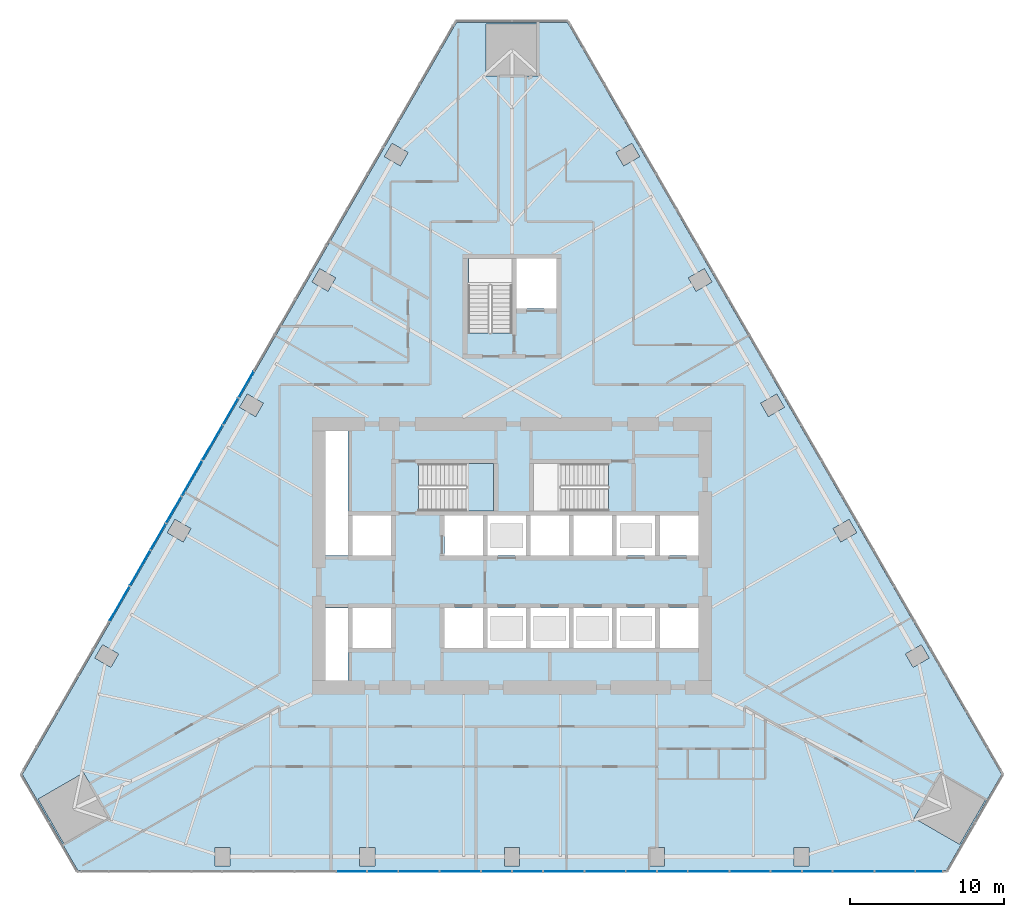
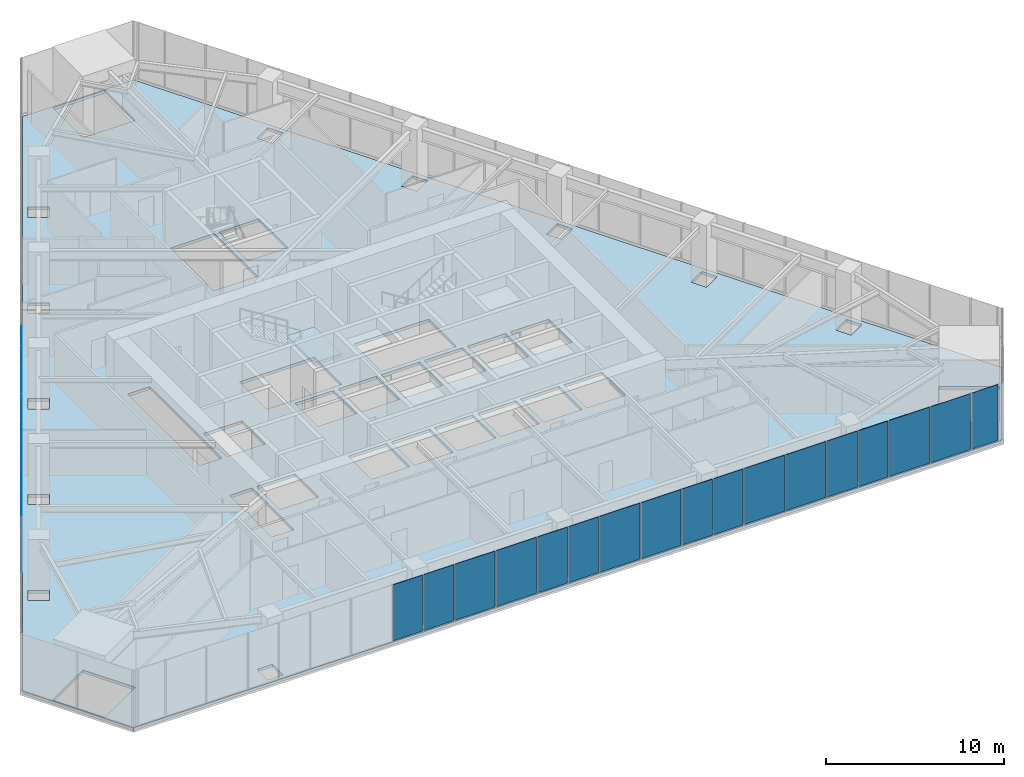
# One storey, part 12 of 21: 25 plates, 2 slabs, 3 elements without a shape of their own.
"""IFC4 building model written with IfcOpenShell, lengths in metres."""

from ifc_helpers import new_model, si_unit, direction, frame, origin, place, context, subcontext, project, spatial, polyline, outline, extrude, material, layer, layer_set, type_object, element, aggregate, save


model = new_model("IFC4")

# Units and contexts
model_context = context("Model", 3, precision=1e-05, world=origin(), true_north=direction((0.0, 1.0)))
body_context = subcontext(model_context, "Body", "Model", "MODEL_VIEW")
ifc_project = project(units=[si_unit("LENGTHUNIT", "METRE"), si_unit("AREAUNIT", "SQUARE_METRE"), si_unit("VOLUMEUNIT", "CUBIC_METRE"), si_unit("PLANEANGLEUNIT", "RADIAN"), si_unit("MASSUNIT", "GRAM", prefix="KILO")], contexts=[model_context])

# Site, building, storey
site_placement = place(None, origin())
site = spatial("IfcSite", under=ifc_project, at=site_placement, CompositionType="ELEMENT")
building_placement = place(site_placement, origin())
building = spatial("IfcBuilding", under=site, at=building_placement, Name="Firuza Gate Tower and Library", CompositionType="ELEMENT")
storey_placement = place(building_placement, frame((0.0, 0.0, 98.800048828125)))
storey = spatial("IfcBuildingStorey", under=building, at=storey_placement, Name="L22", CompositionType="ELEMENT", Elevation=98.800048828125)

# Slab
ifc_material_1 = material(Name="Concrete C40/50", Category="concrete")
ifc_layer_1 = layer(ifc_material_1, 0.199951171875)
ifc_layer_set_1 = layer_set([ifc_layer_1], Name="Composite floor slab 200 C40/50")
slab_type_1 = type_object("IfcSlabType", Name="Composite floor slab 200 C40/50", PredefinedType="FLOOR", material=ifc_layer_set_1)
slab_1_placement = place(storey_placement, frame((0.0, 0.0, -0.199951171875)))
element("IfcSlab", 1, at=slab_1_placement, inside=storey, type_object=slab_type_1, Name="Floor slab L22", PredefinedType="FLOOR", context=body_context, shape_type="SweptSolid", body=[
    extrude(outline(polyline([(43.18994140625, 60.791259765625), (46.789794921875, 54.555908203125), (103.210205078125, 54.555908203125), (106.81005859375, 60.791259765625), (78.60009765625, 109.652587890625), (71.39990234375, 109.652587890625), (43.18994140625, 60.791259765625)]), holes=[polyline([(55.693359375, 54.85595703125), (55.693359375, 56.055908203125), (56.693359375, 56.055908203125), (56.693359375, 54.85595703125), (55.693359375, 54.85595703125)]), polyline([(65.0966796875, 54.85595703125), (65.0966796875, 56.055908203125), (66.0966796875, 56.055908203125), (66.0966796875, 54.85595703125), (65.0966796875, 54.85595703125)]), polyline([(44.2265625, 59.19580078125), (47.1708984375, 60.89599609375), (48.87109375, 57.951416015625), (45.926513671875, 56.25146484375), (44.2265625, 59.19580078125)]), polyline([(48.4013671875, 69.218017578125), (49.440673828125, 68.617919921875), (48.940673828125, 67.751953125), (47.9013671875, 68.351806640625), (48.4013671875, 69.218017578125)]), polyline([(64.35009765625, 66.89990234375), (62.89990234375, 66.89990234375), (62.89990234375, 71.60009765625), (64.35009765625, 71.60009765625), (64.35009765625, 66.89990234375)]), polyline([(75.89990234375, 69.0), (73.39990234375, 69.0), (73.39990234375, 71.60009765625), (75.89990234375, 71.60009765625), (75.89990234375, 69.0)]), polyline([(73.10009765625, 69.0), (70.60009765625, 69.0), (70.60009765625, 71.60009765625), (73.10009765625, 71.60009765625), (73.10009765625, 69.0)]), polyline([(64.64990234375, 69.0), (64.64990234375, 71.60009765625), (67.14990234375, 71.60009765625), (67.14990234375, 69.0), (64.64990234375, 69.0)]), polyline([(64.64990234375, 75.0), (64.64990234375, 77.60009765625), (67.14990234375, 77.60009765625), (67.14990234375, 75.0), (64.64990234375, 75.0)]), polyline([(75.89990234375, 75.0), (73.39990234375, 75.0), (73.39990234375, 77.60009765625), (75.89990234375, 77.60009765625), (75.89990234375, 75.0)]), polyline([(73.10009765625, 75.0), (70.60009765625, 75.0), (70.60009765625, 77.60009765625), (73.10009765625, 77.60009765625), (73.10009765625, 75.0)]), polyline([(53.10302734375, 77.361572265625), (54.142333984375, 76.761474609375), (53.642333984375, 75.8955078125), (52.60302734375, 76.495361328125), (53.10302734375, 77.361572265625)]), polyline([(62.89990234375, 75.0), (62.89990234375, 83.10009765625), (64.35009765625, 83.10009765625), (64.35009765625, 75.0), (62.89990234375, 75.0)]), polyline([(68.9404296875, 77.89990234375), (68.9404296875, 80.97998046875), (73.81005859375, 80.97998046875), (73.81005859375, 77.89990234375), (68.9404296875, 77.89990234375)]), polyline([(57.8046875, 85.505126953125), (58.843994140625, 84.905029296875), (58.343994140625, 84.0390625), (57.3046875, 84.638916015625), (57.8046875, 85.505126953125)]), polyline([(72.159912109375, 89.470458984375), (72.159912109375, 94.300048828125), (75.0, 94.300048828125), (75.0, 89.470458984375), (72.159912109375, 89.470458984375)]), polyline([(62.50634765625, 93.648681640625), (63.545654296875, 93.048583984375), (63.045654296875, 92.1826171875), (62.00634765625, 92.782470703125), (62.50634765625, 93.648681640625)]), polyline([(68.247314453125, 101.192138671875), (67.747314453125, 100.326171875), (66.7080078125, 100.926025390625), (67.2080078125, 101.792236328125), (68.247314453125, 101.192138671875)]), polyline([(76.699951171875, 106.152587890625), (73.300048828125, 106.152587890625), (73.300048828125, 109.552734375), (76.699951171875, 109.552734375), (76.699951171875, 106.152587890625)]), polyline([(93.306640625, 54.85595703125), (93.306640625, 56.055908203125), (94.306640625, 56.055908203125), (94.306640625, 54.85595703125), (93.306640625, 54.85595703125)]), polyline([(74.5, 54.85595703125), (74.5, 56.055908203125), (75.5, 56.055908203125), (75.5, 54.85595703125), (74.5, 54.85595703125)]), polyline([(83.9033203125, 54.85595703125), (83.9033203125, 56.055908203125), (84.9033203125, 56.055908203125), (84.9033203125, 54.85595703125), (83.9033203125, 54.85595703125)]), polyline([(104.073486328125, 56.25146484375), (101.12890625, 57.951416015625), (102.8291015625, 60.89599609375), (105.7734375, 59.19580078125), (104.073486328125, 56.25146484375)]), polyline([(102.0986328125, 68.351806640625), (101.059326171875, 67.751953125), (100.559326171875, 68.617919921875), (101.5986328125, 69.218017578125), (102.0986328125, 68.351806640625)]), polyline([(78.699951171875, 69.0), (76.199951171875, 69.0), (76.199951171875, 71.60009765625), (78.699951171875, 71.60009765625), (78.699951171875, 69.0)]), polyline([(81.5, 69.0), (79.0, 69.0), (79.0, 71.60009765625), (81.5, 71.60009765625), (81.5, 69.0)]), polyline([(84.60009765625, 69.0), (84.60009765625, 71.60009765625), (87.10009765625, 71.60009765625), (87.10009765625, 69.0), (84.60009765625, 69.0)]), polyline([(81.800048828125, 69.0), (81.800048828125, 71.60009765625), (84.300048828125, 71.60009765625), (84.300048828125, 69.0), (81.800048828125, 69.0)]), polyline([(84.300048828125, 75.0), (81.800048828125, 75.0), (81.800048828125, 77.60009765625), (84.300048828125, 77.60009765625), (84.300048828125, 75.0)]), polyline([(87.10009765625, 75.0), (84.60009765625, 75.0), (84.60009765625, 77.60009765625), (87.10009765625, 77.60009765625), (87.10009765625, 75.0)]), polyline([(81.5, 75.0), (79.0, 75.0), (79.0, 77.60009765625), (81.5, 77.60009765625), (81.5, 75.0)]), polyline([(76.199951171875, 75.0), (76.199951171875, 77.60009765625), (78.699951171875, 77.60009765625), (78.699951171875, 75.0), (76.199951171875, 75.0)]), polyline([(96.357666015625, 75.8955078125), (95.857666015625, 76.761474609375), (96.89697265625, 77.361572265625), (97.39697265625, 76.495361328125), (96.357666015625, 75.8955078125)]), polyline([(81.259521484375, 77.89990234375), (76.389892578125, 77.89990234375), (76.389892578125, 80.97998046875), (81.259521484375, 80.97998046875), (81.259521484375, 77.89990234375)]), polyline([(92.6953125, 84.638916015625), (91.656005859375, 84.0390625), (91.156005859375, 84.905029296875), (92.1953125, 85.505126953125), (92.6953125, 84.638916015625)]), polyline([(77.89990234375, 91.050048828125), (75.300048828125, 91.050048828125), (75.300048828125, 94.300048828125), (77.89990234375, 94.300048828125), (77.89990234375, 91.050048828125)]), polyline([(86.954345703125, 92.1826171875), (86.454345703125, 93.048583984375), (87.49365234375, 93.648681640625), (87.99365234375, 92.782470703125), (86.954345703125, 92.1826171875)]), polyline([(82.252685546875, 100.326171875), (81.752685546875, 101.192138671875), (82.7919921875, 101.792236328125), (83.2919921875, 100.926025390625), (82.252685546875, 100.326171875)])]), origin(), (0.0, 0.0, 1.0), 0.199951171875),
])

# Curtain wall, plates
ifc_material_2 = material(Name="Aluminium 6063-T6", Category="aluminium")
ifc_layer_2 = layer(ifc_material_2, 0.14990234375)
ifc_layer_set_2 = layer_set([ifc_layer_2], Name="Unitised curtain wall, offices")
curtain_wall_type = type_object("IfcCurtainWallType", Name="Unitised curtain wall, offices", PredefinedType="NOTDEFINED", material=ifc_layer_set_2)
placement = place(storey_placement, origin())
curtain_wall_1 = element("IfcCurtainWall", 2, at=placement, inside=storey, type_object=curtain_wall_type, Name="CW1 L22 S face", PredefinedType="NOTDEFINED")
ifc_material_3 = material(Name="Fritted glass", Category="glass")
ifc_layer_3 = layer(ifc_material_3, 0.030029296875)
ifc_layer_set_3 = layer_set([ifc_layer_3], Name="Fritted glass unit, offices")
plate_type_1 = type_object("IfcPlateType", Name="Fritted glass unit, offices", PredefinedType="CURTAIN_PANEL", material=ifc_layer_set_3)
plate_1_placement = place(storey_placement, frame((63.619873046875, 54.466064453125, 0.14990234375), z_axis=(0.0, -1.0, 0.0), x_axis=(1.0, 0.0, 0.0)))
plate_1 = element("IfcPlate", 3, at=plate_1_placement, type_object=plate_type_1, Name="Glass unit", PredefinedType="CURTAIN_PANEL", context=body_context, shape_type="SweptSolid", body=[
    extrude(outline(polyline([(0.0, 0.0), (1.92236328125, 0.0), (1.92236328125, 3.85009765625), (0.0, 3.85009765625), (0.0, 0.0)])), origin(), (0.0, 0.0, -1.0), 0.030029296875),
])
plate_2_placement = place(storey_placement, frame((65.622314453125, 54.466064453125, 0.14990234375), z_axis=(0.0, -1.0, 0.0), x_axis=(1.0, 0.0, 0.0)))
plate_2 = element("IfcPlate", 4, at=plate_2_placement, type_object=plate_type_1, Name="Glass unit", PredefinedType="CURTAIN_PANEL", context=body_context, shape_type="SweptSolid", body=[
    extrude(outline(polyline([(0.0, 0.0), (1.950927734375, 0.0), (1.950927734375, 3.85009765625), (0.0, 3.85009765625), (0.0, 0.0)])), origin(), (0.0, 0.0, -1.0), 0.030029296875),
])
plate_3_placement = place(storey_placement, frame((73.023193359375, 54.466064453125, 0.14990234375), z_axis=(0.0, -1.0, 0.0), x_axis=(1.0, 0.0, 0.0)))
plate_3 = element("IfcPlate", 5, at=plate_3_placement, type_object=plate_type_1, Name="Glass unit", PredefinedType="CURTAIN_PANEL", context=body_context, shape_type="SweptSolid", body=[
    extrude(outline(polyline([(0.0, 0.0), (1.936767578125, 0.0), (1.936767578125, 3.85009765625), (0.0, 3.85009765625), (0.0, 0.0)])), origin(), (0.0, 0.0, -1.0), 0.030029296875),
])
plate_4_placement = place(storey_placement, frame((75.0400390625, 54.466064453125, 0.14990234375), z_axis=(0.0, -1.0, 0.0), x_axis=(1.0, 0.0, 0.0)))
plate_4 = element("IfcPlate", 6, at=plate_4_placement, type_object=plate_type_1, Name="Glass unit", PredefinedType="CURTAIN_PANEL", context=body_context, shape_type="SweptSolid", body=[
    extrude(outline(polyline([(0.0, 0.0), (1.936767578125, 0.0), (1.936767578125, 3.85009765625), (0.0, 3.85009765625), (0.0, 0.0)])), origin(), (0.0, 0.0, -1.0), 0.030029296875),
])
plate_5_placement = place(storey_placement, frame((82.4267578125, 54.466064453125, 0.14990234375), z_axis=(0.0, -1.0, 0.0), x_axis=(1.0, 0.0, 0.0)))
plate_5 = element("IfcPlate", 7, at=plate_5_placement, type_object=plate_type_1, Name="Glass unit", PredefinedType="CURTAIN_PANEL", context=body_context, shape_type="SweptSolid", body=[
    extrude(outline(polyline([(0.0, 0.0), (1.950927734375, 0.0), (1.950927734375, 3.85009765625), (0.0, 3.85009765625), (0.0, 0.0)])), origin(), (0.0, 0.0, -1.0), 0.030029296875),
])
plate_6_placement = place(storey_placement, frame((84.457763671875, 54.466064453125, 0.14990234375), z_axis=(0.0, -1.0, 0.0), x_axis=(1.0, 0.0, 0.0)))
plate_6 = element("IfcPlate", 8, at=plate_6_placement, type_object=plate_type_1, Name="Glass unit", PredefinedType="CURTAIN_PANEL", context=body_context, shape_type="SweptSolid", body=[
    extrude(outline(polyline([(0.0, 0.0), (1.92236328125, 0.0), (1.92236328125, 3.85009765625), (0.0, 3.85009765625), (0.0, 0.0)])), origin(), (0.0, 0.0, -1.0), 0.030029296875),
])
plate_7_placement = place(storey_placement, frame((91.830078125, 54.466064453125, 0.14990234375), z_axis=(0.0, -1.0, 0.0), x_axis=(1.0, 0.0, 0.0)))
plate_7 = element("IfcPlate", 9, at=plate_7_placement, type_object=plate_type_1, Name="Glass unit", PredefinedType="CURTAIN_PANEL", context=body_context, shape_type="SweptSolid", body=[
    extrude(outline(polyline([(0.0, 0.0), (1.965576171875, 0.0), (1.965576171875, 3.85009765625), (0.0, 3.85009765625), (0.0, 0.0)])), origin(), (0.0, 0.0, -1.0), 0.030029296875),
])
plate_8_placement = place(storey_placement, frame((93.87548828125, 54.466064453125, 0.14990234375), z_axis=(0.0, -1.0, 0.0), x_axis=(1.0, 0.0, 0.0)))
plate_8 = element("IfcPlate", 10, at=plate_8_placement, type_object=plate_type_1, Name="Glass unit", PredefinedType="CURTAIN_PANEL", context=body_context, shape_type="SweptSolid", body=[
    extrude(outline(polyline([(0.0, 0.0), (1.907958984375, 0.0), (1.907958984375, 3.85009765625), (0.0, 3.85009765625), (0.0, 0.0)])), origin(), (0.0, 0.0, -1.0), 0.030029296875),
])
plate_9_placement = place(storey_placement, frame((101.2333984375, 54.466064453125, 0.14990234375), z_axis=(0.0, -1.0, 0.0), x_axis=(1.0, 0.0, 0.0)))
plate_9 = element("IfcPlate", 11, at=plate_9_placement, type_object=plate_type_1, Name="Glass unit", PredefinedType="CURTAIN_PANEL", context=body_context, shape_type="SweptSolid", body=[
    extrude(outline(polyline([(0.0, 0.0), (1.7138671875, 0.0), (1.7138671875, 3.85009765625), (0.0, 3.85009765625), (0.0, 0.0)])), origin(), (0.0, 0.0, -1.0), 0.030029296875),
])

curtain_wall_2 = element("IfcCurtainWall", 12, at=placement, inside=storey, type_object=curtain_wall_type, Name="CW1 L22 W face", PredefinedType="NOTDEFINED")
plate_10_placement = place(storey_placement, frame((58.205322265625, 86.97900390625, 0.14990234375), z_axis=(-0.866047038303, 0.499962526042, 0.0), x_axis=(-0.499962526042, -0.866047038303, 0.0)))
plate_10 = element("IfcPlate", 13, at=plate_10_placement, type_object=plate_type_1, Name="Glass unit", PredefinedType="CURTAIN_PANEL", context=body_context, shape_type="SweptSolid", body=[
    extrude(outline(polyline([(0.0, 0.0), (1.936668586773777, 0.0), (1.936668586773777, 3.85009765625), (0.0, 3.85009765625), (0.0, 0.0)])), origin(), (0.0, 0.0, -1.0), 0.030029296875),
])
plate_11_placement = place(storey_placement, frame((57.197021484375, 85.232421875, 0.14990234375), z_axis=(-0.866047038303, 0.499962526042, 0.0), x_axis=(-0.499962526042, -0.866047038303, 0.0)))
plate_11 = element("IfcPlate", 14, at=plate_11_placement, type_object=plate_type_1, Name="Glass unit", PredefinedType="CURTAIN_PANEL", context=body_context, shape_type="SweptSolid", body=[
    extrude(outline(polyline([(0.0, 0.0), (1.936668586773777, 0.0), (1.936668586773777, 3.85009765625), (0.0, 3.85009765625), (0.0, 0.0)])), origin(), (0.0, 0.0, -1.0), 0.030029296875),
])
plate_12_placement = place(storey_placement, frame((53.503662109375, 78.835205078125, 0.14990234375), z_axis=(-0.866016800201, 0.500014901547, 0.0), x_axis=(-0.500014901547, -0.866016800201, 0.0)))
plate_12 = element("IfcPlate", 15, at=plate_12_placement, type_object=plate_type_1, Name="Glass unit", PredefinedType="CURTAIN_PANEL", context=body_context, shape_type="SweptSolid", body=[
    extrude(outline(polyline([(0.0, 0.0), (1.9511137257751934, 0.0), (1.9511137257751934, 3.850097656250001), (0.0, 3.850097656250001), (0.0, 0.0)])), origin(), (0.0, 0.0, -1.0), 0.030029296875),
])
plate_13_placement = place(storey_placement, frame((52.488037109375, 77.076416015625, 0.14990234375), z_axis=(-0.866022735809, 0.500004621041, 0.0), x_axis=(-0.500004621041, -0.866022735809, 0.0)))
plate_13 = element("IfcPlate", 16, at=plate_13_placement, type_object=plate_type_1, Name="Glass unit", PredefinedType="CURTAIN_PANEL", context=body_context, shape_type="SweptSolid", body=[
    extrude(outline(polyline([(0.0, 0.0), (1.9223455147749466, 0.0), (1.9223455147749466, 3.85009765625), (0.0, 3.85009765625), (0.0, 0.0)])), origin(), (0.0, 0.0, -1.0), 0.030029296875),
])

# Plate
ifc_material_4 = material(Name="Glazed ceramic tile")
ifc_layer_4 = layer(ifc_material_4, 0.030029296875)
ifc_layer_set_4 = layer_set([ifc_layer_4], Name="Opaque ceramic panel, offices")
plate_type_2 = type_object("IfcPlateType", Name="Opaque ceramic panel, offices", PredefinedType="CURTAIN_PANEL", material=ifc_layer_set_4)
plate_14_placement = place(storey_placement, frame((67.6533203125, 54.466064453125, 0.14990234375), z_axis=(0.0, -1.0, 0.0), x_axis=(1.0, 0.0, 0.0)))
plate_14 = element("IfcPlate", 17, at=plate_14_placement, type_object=plate_type_2, Name="Opaque ceramic panel", PredefinedType="CURTAIN_PANEL", context=body_context, shape_type="SweptSolid", body=[
    extrude(outline(polyline([(0.0, 0.0), (2.59765625, 0.0), (2.59765625, 3.85009765625), (0.0, 3.85009765625), (0.0, 0.0)])), origin(), (0.0, 0.0, -1.0), 0.030029296875),
])

plate_15_placement = place(storey_placement, frame((70.3310546875, 54.466064453125, 0.14990234375), z_axis=(0.0, -1.0, 0.0), x_axis=(1.0, 0.0, 0.0)))
plate_15 = element("IfcPlate", 18, at=plate_15_placement, type_object=plate_type_2, Name="Opaque ceramic panel", PredefinedType="CURTAIN_PANEL", context=body_context, shape_type="SweptSolid", body=[
    extrude(outline(polyline([(0.0, 0.0), (2.6123046875, 0.0), (2.6123046875, 3.85009765625), (0.0, 3.85009765625), (0.0, 0.0)])), origin(), (0.0, 0.0, -1.0), 0.030029296875),
])

plate_16_placement = place(storey_placement, frame((77.056640625, 54.466064453125, 0.14990234375), z_axis=(0.0, -1.0, 0.0), x_axis=(1.0, 0.0, 0.0)))
plate_16 = element("IfcPlate", 19, at=plate_16_placement, type_object=plate_type_2, Name="Opaque ceramic panel", PredefinedType="CURTAIN_PANEL", context=body_context, shape_type="SweptSolid", body=[
    extrude(outline(polyline([(0.0, 0.0), (2.6123046875, 0.0), (2.6123046875, 3.85009765625), (0.0, 3.85009765625), (0.0, 0.0)])), origin(), (0.0, 0.0, -1.0), 0.030029296875),
])

plate_17_placement = place(storey_placement, frame((79.7490234375, 54.466064453125, 0.14990234375), z_axis=(0.0, -1.0, 0.0), x_axis=(1.0, 0.0, 0.0)))
plate_17 = element("IfcPlate", 20, at=plate_17_placement, type_object=plate_type_2, Name="Opaque ceramic panel", PredefinedType="CURTAIN_PANEL", context=body_context, shape_type="SweptSolid", body=[
    extrude(outline(polyline([(0.0, 0.0), (2.59765625, 0.0), (2.59765625, 3.85009765625), (0.0, 3.85009765625), (0.0, 0.0)])), origin(), (0.0, 0.0, -1.0), 0.030029296875),
])

plate_18_placement = place(storey_placement, frame((86.4599609375, 54.466064453125, 0.14990234375), z_axis=(0.0, -1.0, 0.0), x_axis=(1.0, 0.0, 0.0)))
plate_18 = element("IfcPlate", 21, at=plate_18_placement, type_object=plate_type_2, Name="Opaque ceramic panel", PredefinedType="CURTAIN_PANEL", context=body_context, shape_type="SweptSolid", body=[
    extrude(outline(polyline([(0.0, 0.0), (2.626708984375, 0.0), (2.626708984375, 3.85009765625), (0.0, 3.85009765625), (0.0, 0.0)])), origin(), (0.0, 0.0, -1.0), 0.030029296875),
])

plate_19_placement = place(storey_placement, frame((89.166748046875, 54.466064453125, 0.14990234375), z_axis=(0.0, -1.0, 0.0), x_axis=(1.0, 0.0, 0.0)))
plate_19 = element("IfcPlate", 22, at=plate_19_placement, type_object=plate_type_2, Name="Opaque ceramic panel", PredefinedType="CURTAIN_PANEL", context=body_context, shape_type="SweptSolid", body=[
    extrude(outline(polyline([(0.0, 0.0), (2.583251953125, 0.0), (2.583251953125, 3.85009765625), (0.0, 3.85009765625), (0.0, 0.0)])), origin(), (0.0, 0.0, -1.0), 0.030029296875),
])

plate_20_placement = place(storey_placement, frame((95.863525390625, 54.466064453125, 0.14990234375), z_axis=(0.0, -1.0, 0.0), x_axis=(1.0, 0.0, 0.0)))
plate_20 = element("IfcPlate", 23, at=plate_20_placement, type_object=plate_type_2, Name="Opaque ceramic panel", PredefinedType="CURTAIN_PANEL", context=body_context, shape_type="SweptSolid", body=[
    extrude(outline(polyline([(0.0, 0.0), (2.640869140625, 0.0), (2.640869140625, 3.85009765625), (0.0, 3.85009765625), (0.0, 0.0)])), origin(), (0.0, 0.0, -1.0), 0.030029296875),
])

plate_21_placement = place(storey_placement, frame((98.58447265625, 54.466064453125, 0.14990234375), z_axis=(0.0, -1.0, 0.0), x_axis=(1.0, 0.0, 0.0)))
plate_21 = element("IfcPlate", 24, at=plate_21_placement, type_object=plate_type_2, Name="Opaque ceramic panel", PredefinedType="CURTAIN_PANEL", context=body_context, shape_type="SweptSolid", body=[
    extrude(outline(polyline([(0.0, 0.0), (2.56884765625, 0.0), (2.56884765625, 3.85009765625), (0.0, 3.85009765625), (0.0, 0.0)])), origin(), (0.0, 0.0, -1.0), 0.030029296875),
])

aggregate(curtain_wall_1, [plate_1, plate_2, plate_14, plate_15, plate_3, plate_4, plate_16, plate_17, plate_5, plate_6, plate_18, plate_19, plate_7, plate_8, plate_20, plate_21, plate_9])

plate_22_placement = place(storey_placement, frame((56.188720703125, 83.48583984375, 0.14990234375), z_axis=(-0.86601437931, 0.500019094464, 0.0), x_axis=(-0.500019094464, -0.86601437931, 0.0)))
plate_22 = element("IfcPlate", 25, at=plate_22_placement, type_object=plate_type_2, Name="Opaque ceramic panel", PredefinedType="CURTAIN_PANEL", context=body_context, shape_type="SweptSolid", body=[
    extrude(outline(polyline([(0.0, 0.0), (2.612204930192223, 0.0), (2.612204930192223, 3.85009765625), (0.0, 3.85009765625), (0.0, 0.0)])), origin(), (0.0, 0.0, -1.0), 0.030029296875),
])

plate_23_placement = place(storey_placement, frame((54.842529296875, 81.154296875, 0.14990234375), z_axis=(-0.866036909293, 0.499980071345, 0.0), x_axis=(-0.499980071345, -0.866036909293, 0.0)))
plate_23 = element("IfcPlate", 26, at=plate_23_placement, type_object=plate_type_2, Name="Opaque ceramic panel", PredefinedType="CURTAIN_PANEL", context=body_context, shape_type="SweptSolid", body=[
    extrude(outline(polyline([(0.0, 0.0), (2.597759789719434, 0.0), (2.597759789719434, 3.85009765625), (0.0, 3.85009765625), (0.0, 0.0)])), origin(), (0.0, 0.0, -1.0), 0.030029296875),
])

plate_24_placement = place(storey_placement, frame((51.487060546875, 75.34228515625, 0.14990234375), z_axis=(-0.865992095402, 0.500057687374, 0.0), x_axis=(-0.500057687374, -0.865992095402, 0.0)))
plate_24 = element("IfcPlate", 27, at=plate_24_placement, type_object=plate_type_2, Name="Opaque ceramic panel", PredefinedType="CURTAIN_PANEL", context=body_context, shape_type="SweptSolid", body=[
    extrude(outline(polyline([(0.0, 0.0), (2.626650075910507, 0.0), (2.626650075910507, 3.85009765625), (0.0, 3.85009765625), (0.0, 0.0)])), origin(), (0.0, 0.0, -1.0), 0.030029296875),
])

plate_25_placement = place(storey_placement, frame((50.133544921875, 72.998291015625, 0.14990234375), z_axis=(-0.866059689451, 0.499940610781, 0.0), x_axis=(-0.499940610781, -0.866059689451, 0.0)))
plate_25 = element("IfcPlate", 28, at=plate_25_placement, type_object=plate_type_2, Name="Opaque ceramic panel", PredefinedType="CURTAIN_PANEL", context=body_context, shape_type="SweptSolid", body=[
    extrude(outline(polyline([(0.0, 0.0), (2.583314654580135, 0.0), (2.583314654580135, 3.85009765625), (0.0, 3.85009765625), (0.0, 0.0)])), origin(), (0.0, 0.0, -1.0), 0.030029296875),
])

aggregate(curtain_wall_2, [plate_10, plate_11, plate_22, plate_23, plate_12, plate_13, plate_24, plate_25])

# Stair, slab
ifc_material_5 = material(Name="Concrete C35/45", Category="concrete")
stair_type = type_object("IfcStairType", Name="Exit stair ST5", PredefinedType="HALF_TURN_STAIR", material=ifc_material_5)
stair = element("IfcStair", 29, at=placement, inside=storey, type_object=stair_type, Name="L22 Stair ST1", PredefinedType="HALF_TURN_STAIR")
ifc_material_6 = material(Name="Concrete C35/45", Category="concrete")
ifc_layer_5 = layer(ifc_material_6, 0.199951171875)
ifc_layer_set_5 = layer_set([ifc_layer_5], Name="Stair landing 200")
slab_type_2 = type_object("IfcSlabType", Name="Stair landing 200", PredefinedType="LANDING", material=ifc_layer_set_5)
slab_2_placement = place(storey_placement, frame((0.0, 0.0, 1.89990234375)))
slab_2 = element("IfcSlab", 30, at=slab_2_placement, type_object=slab_type_2, Name="ST1 landing 1", PredefinedType="LANDING", context=body_context, shape_type="SweptSolid", body=[
    extrude(outline(polyline([(72.02001953125, 77.89990234375), (73.81005859375, 77.89990234375), (73.81005859375, 80.97998046875), (72.02001953125, 80.97998046875), (72.02001953125, 77.89990234375)])), origin(), (0.0, 0.0, 1.0), 0.199951171875),
])
aggregate(stair, [slab_2])

save(model, "model.ifc")
